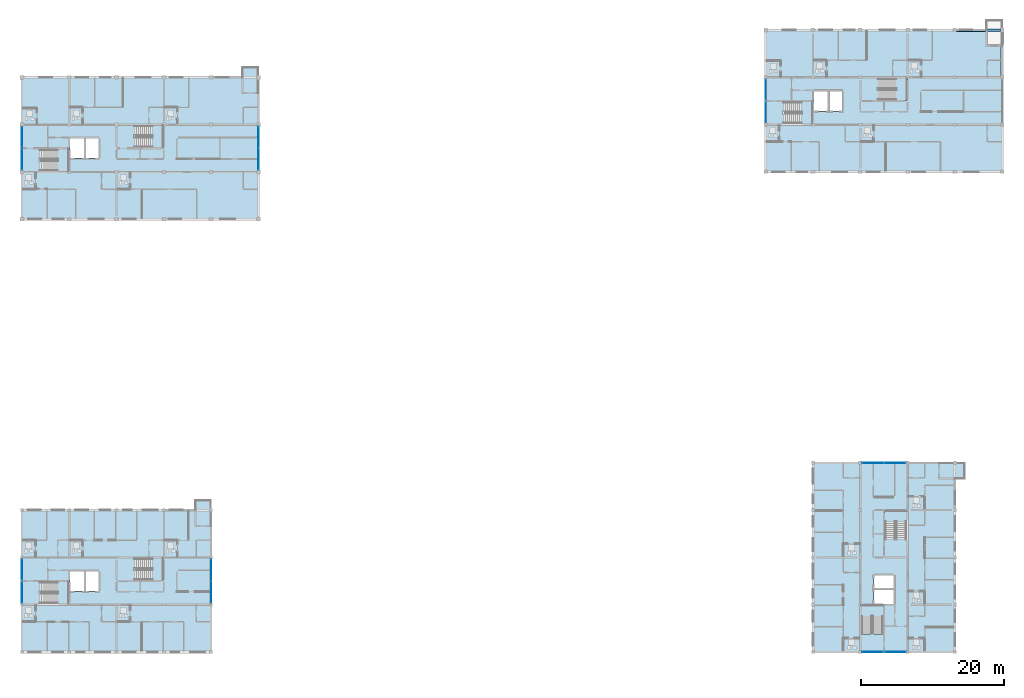
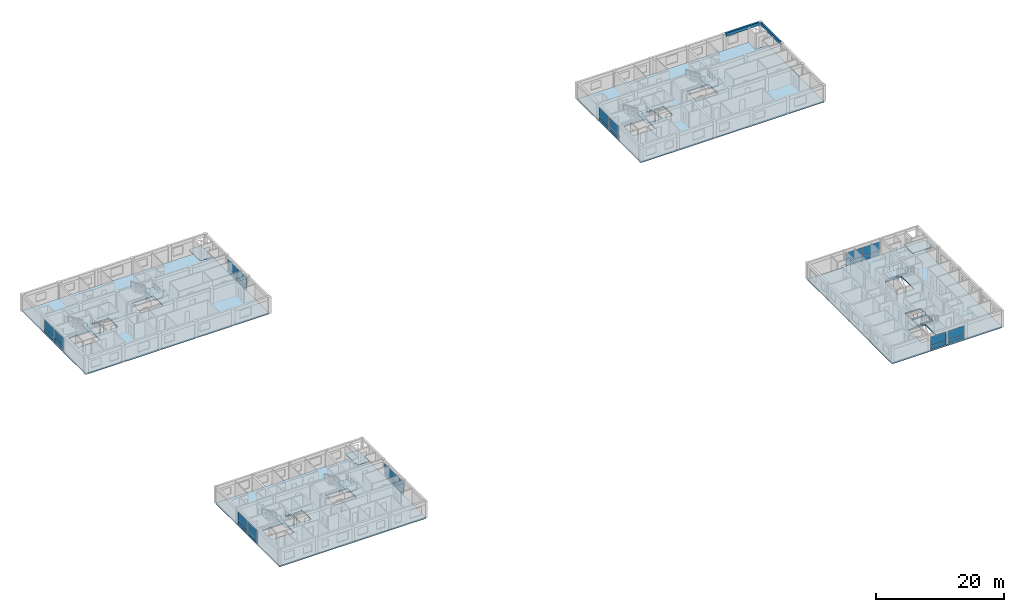
# One storey, part 22 of 45: 28 plates, 15 slabs, 2 beams, 19 elements without a shape of their own.
"""IFC4 building model written with IfcOpenShell, lengths in metres."""

from ifc_helpers import new_model, si_unit, direction, frame, origin, origin_2d, place, context, subcontext, project, spatial, polyline, rectangle, outline, extrude, material, layer, layer_set, material_profile, profile_set, type_object, element, aggregate, save


model = new_model("IFC4")

# Units and contexts
model_context = context("Model", 3, precision=1e-05, world=origin(), true_north=direction((0.0, 1.0)))
body_context = subcontext(model_context, "Body", "Model", "MODEL_VIEW")
ifc_project = project(units=[si_unit("LENGTHUNIT", "METRE"), si_unit("AREAUNIT", "SQUARE_METRE"), si_unit("VOLUMEUNIT", "CUBIC_METRE"), si_unit("PLANEANGLEUNIT", "RADIAN"), si_unit("MASSUNIT", "GRAM", prefix="KILO")], contexts=[model_context])

# Site, building, storey
site_placement = place(None, origin())
site = spatial("IfcSite", under=ifc_project, at=site_placement, CompositionType="ELEMENT")
building_placement = place(site_placement, origin())
building = spatial("IfcBuilding", under=site, at=building_placement, Name="Kernevlak Ridge Housing Community", CompositionType="ELEMENT")
storey_placement = place(building_placement, frame((0.0, 0.0, 14.800048828125)))
storey = spatial("IfcBuildingStorey", under=building, at=storey_placement, Name="L04", CompositionType="ELEMENT", Elevation=14.800048828125)

# Beams
ifc_material_1 = material(Name="Concrete C35/45", Category="concrete")
ifc_material_profile_1 = material_profile(ifc_material_1, rectangle(XDim=0.300048828125, YDim=0.550048828125, at=origin_2d()), Name="RC 300x550")
ifc_profile_set_1 = profile_set([ifc_material_profile_1], Name="Concrete C35/45")
beam_type_1 = type_object("IfcBeamType", Name="SP-01", PredefinedType="SPANDREL", material=ifc_profile_set_1)
beam_1_placement = place(storey_placement, frame((152.39990234375, 96.050048828125, 2.925048828125), z_axis=(0.0, 1.0, 0.0), x_axis=(-1.0, 0.0, 0.0)))
element("IfcBeam", 1, at=beam_1_placement, inside=storey, type_object=beam_type_1, Name="Beam SP-01 L04 706", PredefinedType="SPANDREL", context=body_context, shape_type="SweptSolid", body=[
    extrude(rectangle(XDim=0.300048828125, YDim=0.550048828125, at=origin_2d()), origin(), (0.0, 0.0, 1.0), 6.099853515625),
])
ifc_material_profile_2 = material_profile(ifc_material_1, rectangle(XDim=0.35009765625, YDim=0.60009765625, at=origin_2d()), Name="RC 350x600")
ifc_profile_set_2 = profile_set([ifc_material_profile_2], Name="Concrete C35/45")
beam_type_2 = type_object("IfcBeamType", Name="SP-03", PredefinedType="SPANDREL", material=ifc_profile_set_2)
beam_2_placement = place(storey_placement, frame((146.050048828125, 102.39990234375, 2.89990234375), z_axis=(1.0, 0.0, 0.0), x_axis=(0.0, 1.0, 0.0)))
element("IfcBeam", 2, at=beam_2_placement, inside=storey, type_object=beam_type_2, Name="Beam SP-03 L04 700", PredefinedType="SPANDREL", context=body_context, shape_type="SweptSolid", body=[
    extrude(rectangle(XDim=0.35009765625, YDim=0.60009765625, at=origin_2d()), origin(), (0.0, 0.0, 1.0), 6.099853515625),
])

# Curtain wall, plate
ifc_material_2 = material(Name="Aluminium EN AW-6060 anodised and laminated glass", Category="aluminium")
curtain_wall_type_1 = type_object("IfcCurtainWallType", Name="CW-01", PredefinedType="NOTDEFINED", material=ifc_material_2)
curtain_wall_1_placement = place(storey_placement, origin())
curtain_wall_1 = element("IfcCurtainWall", 3, at=curtain_wall_1_placement, inside=storey, type_object=curtain_wall_type_1, Name="Curtain wall CW-01 CW-L04-013", PredefinedType="NOTDEFINED")
ifc_material_3 = material(Name="Solar-control double glazing glass", Category="glass")
ifc_layer_1 = layer(ifc_material_3, 0.02392578125, Name="Solar-control double glazing glass")
ifc_layer_set_1 = layer_set([ifc_layer_1], Name="Solar-control double glazing glass")
plate_type_1 = type_object("IfcPlateType", Name="CP-01", PredefinedType="CURTAIN_PANEL", material=ifc_layer_set_1)
plate_1_placement = place(storey_placement, frame((15.60009765625, 84.33251953125, 0.8798828125), z_axis=(0.0, 0.0, 1.0), x_axis=(0.0, 1.0, 0.0)))
plate_1 = element("IfcPlate", 4, at=plate_1_placement, type_object=plate_type_1, Name="CW-01 panel 1.2", PredefinedType="CURTAIN_PANEL", context=body_context, shape_type="SweptSolid", body=[
    extrude(rectangle(XDim=2.794921875, YDim=0.02392578125, at=origin_2d()), origin(), (0.0, 0.0, 1.0), 1.659912109375),
])

curtain_wall_type_2 = type_object("IfcCurtainWallType", Name="CW-08", PredefinedType="NOTDEFINED", material=ifc_material_2)
curtain_wall_2_placement = place(storey_placement, origin())
curtain_wall_2 = element("IfcCurtainWall", 5, at=curtain_wall_2_placement, inside=storey, type_object=curtain_wall_type_2, Name="Curtain wall CW-08 CW-L04-014", PredefinedType="NOTDEFINED")
plate_2_placement = place(storey_placement, frame((15.60009765625, 87.467529296875, 0.88232421875), z_axis=(0.0, 0.0, 1.0), x_axis=(0.0, 1.0, 0.0)))
plate_2 = element("IfcPlate", 6, at=plate_2_placement, type_object=plate_type_1, Name="CW-08 panel 1.2", PredefinedType="CURTAIN_PANEL", context=body_context, shape_type="SweptSolid", body=[
    extrude(rectangle(XDim=2.784912109375, YDim=0.02392578125, at=origin_2d()), origin(), (0.0, 0.0, 1.0), 1.652587890625),
])

# Curtain wall, plates
curtain_wall_type_3 = type_object("IfcCurtainWallType", Name="CW-10", PredefinedType="NOTDEFINED", material=ifc_material_2)
curtain_wall_3_placement = place(storey_placement, origin())
curtain_wall_3 = element("IfcCurtainWall", 7, at=curtain_wall_3_placement, inside=storey, type_object=curtain_wall_type_3, Name="Curtain wall CW-10 CW-L04-015", PredefinedType="NOTDEFINED")
plate_3_placement = place(storey_placement, frame((48.60009765625, 84.4013671875, 0.87744140625), z_axis=(0.0, 0.0, 1.0), x_axis=(0.0, 1.0, 0.0)))
plate_3 = element("IfcPlate", 8, at=plate_3_placement, type_object=plate_type_1, Name="CW-10 panel 1.2", PredefinedType="CURTAIN_PANEL", context=body_context, shape_type="SweptSolid", body=[
    extrude(rectangle(XDim=2.9423828125, YDim=0.02392578125, at=origin_2d()), origin(), (0.0, 0.0, 1.0), 1.66748046875),
])
plate_4_placement = place(storey_placement, frame((48.60009765625, 87.398681640625, 0.87744140625), z_axis=(0.0, 0.0, 1.0), x_axis=(0.0, 1.0, 0.0)))
plate_4 = element("IfcPlate", 9, at=plate_4_placement, type_object=plate_type_1, Name="CW-10 panel 2.2", PredefinedType="CURTAIN_PANEL", context=body_context, shape_type="SweptSolid", body=[
    extrude(rectangle(XDim=2.9423828125, YDim=0.02392578125, at=origin_2d()), origin(), (0.0, 0.0, 1.0), 1.66748046875),
])

# Curtain wall, plate
curtain_wall_type_4 = type_object("IfcCurtainWallType", Name="CW-04", PredefinedType="NOTDEFINED", material=ifc_material_2)
curtain_wall_4_placement = place(storey_placement, origin())
curtain_wall_4 = element("IfcCurtainWall", 10, at=curtain_wall_4_placement, inside=storey, type_object=curtain_wall_type_4, Name="Curtain wall CW-04 CW-L04-067", PredefinedType="NOTDEFINED")
plate_5_placement = place(storey_placement, frame((119.39990234375, 90.919921875, 0.8798828125), z_axis=(0.0, 0.0, 1.0), x_axis=(0.0, 1.0, 0.0)))
plate_5 = element("IfcPlate", 11, at=plate_5_placement, type_object=plate_type_1, Name="CW-04 panel 1.2", PredefinedType="CURTAIN_PANEL", context=body_context, shape_type="SweptSolid", body=[
    extrude(rectangle(XDim=2.820068359375, YDim=0.02392578125, at=origin_2d()), origin(), (0.0, 0.0, 1.0), 1.659912109375),
])

curtain_wall_type_5 = type_object("IfcCurtainWallType", Name="CW-11", PredefinedType="NOTDEFINED", material=ifc_material_2)
curtain_wall_5_placement = place(storey_placement, origin())
curtain_wall_5 = element("IfcCurtainWall", 12, at=curtain_wall_5_placement, inside=storey, type_object=curtain_wall_type_5, Name="Curtain wall CW-11 CW-L04-068", PredefinedType="NOTDEFINED")
plate_6_placement = place(storey_placement, frame((119.39990234375, 94.080078125, 0.88232421875), z_axis=(0.0, 0.0, 1.0), x_axis=(0.0, 1.0, 0.0)))
plate_6 = element("IfcPlate", 13, at=plate_6_placement, type_object=plate_type_1, Name="CW-11 panel 1.2", PredefinedType="CURTAIN_PANEL", context=body_context, shape_type="SweptSolid", body=[
    extrude(rectangle(XDim=2.81005859375, YDim=0.02392578125, at=origin_2d()), origin(), (0.0, 0.0, 1.0), 1.652587890625),
])

curtain_wall_type_6 = type_object("IfcCurtainWallType", Name="CW-07", PredefinedType="NOTDEFINED", material=ifc_material_2)
curtain_wall_6_placement = place(storey_placement, origin())
curtain_wall_6 = element("IfcCurtainWall", 14, at=curtain_wall_6_placement, inside=storey, type_object=curtain_wall_type_6, Name="Curtain wall CW-07 CW-L04-112", PredefinedType="NOTDEFINED")
plate_7_placement = place(storey_placement, frame((134.3076171875, 15.60009765625, 0.8798828125), z_axis=(0.0, 0.0, 1.0), x_axis=(1.0, 0.0, 0.0)))
plate_7 = element("IfcPlate", 15, at=plate_7_placement, type_object=plate_type_1, Name="CW-07 panel 1.2", PredefinedType="CURTAIN_PANEL", context=body_context, shape_type="SweptSolid", body=[
    extrude(rectangle(XDim=2.844970703125, YDim=0.02392578125, at=origin_2d()), origin(), (0.0, 0.0, 1.0), 1.659912109375),
])

curtain_wall_type_7 = type_object("IfcCurtainWallType", Name="CW-14", PredefinedType="NOTDEFINED", material=ifc_material_2)
curtain_wall_7_placement = place(storey_placement, origin())
curtain_wall_7 = element("IfcCurtainWall", 16, at=curtain_wall_7_placement, inside=storey, type_object=curtain_wall_type_7, Name="Curtain wall CW-14 CW-L04-113", PredefinedType="NOTDEFINED")
plate_8_placement = place(storey_placement, frame((137.492431640625, 15.60009765625, 0.88232421875), z_axis=(0.0, 0.0, 1.0), x_axis=(1.0, 0.0, 0.0)))
plate_8 = element("IfcPlate", 17, at=plate_8_placement, type_object=plate_type_1, Name="CW-14 panel 1.2", PredefinedType="CURTAIN_PANEL", context=body_context, shape_type="SweptSolid", body=[
    extrude(rectangle(XDim=2.8349609375, YDim=0.02392578125, at=origin_2d()), origin(), (0.0, 0.0, 1.0), 1.652587890625),
])

# Curtain wall, plates
curtain_wall_8_placement = place(storey_placement, origin())
curtain_wall_8 = element("IfcCurtainWall", 18, at=curtain_wall_8_placement, inside=storey, type_object=curtain_wall_type_7, Name="Curtain wall CW-14 CW-L04-114", PredefinedType="NOTDEFINED")
plate_9_placement = place(storey_placement, frame((134.376220703125, 42.0, 0.87744140625), z_axis=(0.0, 0.0, 1.0), x_axis=(1.0, 0.0, 0.0)))
plate_9 = element("IfcPlate", 19, at=plate_9_placement, type_object=plate_type_1, Name="CW-14 panel 1.2", PredefinedType="CURTAIN_PANEL", context=body_context, shape_type="SweptSolid", body=[
    extrude(rectangle(XDim=2.992431640625, YDim=0.02392578125, at=origin_2d()), origin(), (0.0, 0.0, 1.0), 1.66748046875),
])
plate_10_placement = place(storey_placement, frame((137.423828125, 42.0, 0.87744140625), z_axis=(0.0, 0.0, 1.0), x_axis=(1.0, 0.0, 0.0)))
plate_10 = element("IfcPlate", 20, at=plate_10_placement, type_object=plate_type_1, Name="CW-14 panel 2.2", PredefinedType="CURTAIN_PANEL", context=body_context, shape_type="SweptSolid", body=[
    extrude(rectangle(XDim=2.992431640625, YDim=0.02392578125, at=origin_2d()), origin(), (0.0, 0.0, 1.0), 1.66748046875),
])

# Curtain wall, plate
curtain_wall_9_placement = place(storey_placement, origin())
curtain_wall_9 = element("IfcCurtainWall", 21, at=curtain_wall_9_placement, inside=storey, type_object=curtain_wall_type_3, Name="Curtain wall CW-10 CW-L04-151", PredefinedType="NOTDEFINED")
plate_11_placement = place(storey_placement, frame((15.60009765625, 23.89501953125, 0.8798828125), z_axis=(0.0, 0.0, 1.0), x_axis=(0.0, 1.0, 0.0)))
plate_11 = element("IfcPlate", 22, at=plate_11_placement, type_object=plate_type_1, Name="CW-10 panel 1.2", PredefinedType="CURTAIN_PANEL", context=body_context, shape_type="SweptSolid", body=[
    extrude(rectangle(XDim=2.8701171875, YDim=0.02392578125, at=origin_2d()), origin(), (0.0, 0.0, 1.0), 1.659912109375),
])

curtain_wall_type_8 = type_object("IfcCurtainWallType", Name="CW-03", PredefinedType="NOTDEFINED", material=ifc_material_2)
curtain_wall_10_placement = place(storey_placement, origin())
curtain_wall_10 = element("IfcCurtainWall", 23, at=curtain_wall_10_placement, inside=storey, type_object=curtain_wall_type_8, Name="Curtain wall CW-03 CW-L04-152", PredefinedType="NOTDEFINED")
plate_12_placement = place(storey_placement, frame((15.60009765625, 27.10498046875, 0.88232421875), z_axis=(0.0, 0.0, 1.0), x_axis=(0.0, 1.0, 0.0)))
plate_12 = element("IfcPlate", 24, at=plate_12_placement, type_object=plate_type_1, Name="CW-03 panel 1.2", PredefinedType="CURTAIN_PANEL", context=body_context, shape_type="SweptSolid", body=[
    extrude(rectangle(XDim=2.860107421875, YDim=0.02392578125, at=origin_2d()), origin(), (0.0, 0.0, 1.0), 1.652587890625),
])

# Curtain wall, plates
curtain_wall_type_9 = type_object("IfcCurtainWallType", Name="CW-02", PredefinedType="NOTDEFINED", material=ifc_material_2)
curtain_wall_11_placement = place(storey_placement, origin())
curtain_wall_11 = element("IfcCurtainWall", 25, at=curtain_wall_11_placement, inside=storey, type_object=curtain_wall_type_9, Name="Curtain wall CW-02 CW-L04-153", PredefinedType="NOTDEFINED")
plate_13_placement = place(storey_placement, frame((42.0, 23.9638671875, 0.87744140625), z_axis=(0.0, 0.0, 1.0), x_axis=(0.0, 1.0, 0.0)))
plate_13 = element("IfcPlate", 26, at=plate_13_placement, type_object=plate_type_1, Name="CW-02 panel 1.2", PredefinedType="CURTAIN_PANEL", context=body_context, shape_type="SweptSolid", body=[
    extrude(rectangle(XDim=3.017578125, YDim=0.02392578125, at=origin_2d()), origin(), (0.0, 0.0, 1.0), 1.66748046875),
])
plate_14_placement = place(storey_placement, frame((42.0, 27.0361328125, 0.87744140625), z_axis=(0.0, 0.0, 1.0), x_axis=(0.0, 1.0, 0.0)))
plate_14 = element("IfcPlate", 27, at=plate_14_placement, type_object=plate_type_1, Name="CW-02 panel 2.2", PredefinedType="CURTAIN_PANEL", context=body_context, shape_type="SweptSolid", body=[
    extrude(rectangle(XDim=3.017578125, YDim=0.02392578125, at=origin_2d()), origin(), (0.0, 0.0, 1.0), 1.66748046875),
])

# Plate
ifc_material_4 = material(Name="Aluminium EN AW-5005 enamelled panel", Category="aluminium")
ifc_layer_2 = layer(ifc_material_4, 0.033935546875, Name="Aluminium EN AW-5005 enamelled panel")
ifc_layer_set_2 = layer_set([ifc_layer_2], Name="Aluminium EN AW-5005 enamelled panel")
plate_type_2 = type_object("IfcPlateType", Name="CP-03", PredefinedType="CURTAIN_PANEL", material=ifc_layer_set_2)
plate_15_placement = place(storey_placement, frame((15.60009765625, 84.33251953125, 0.06005859375), z_axis=(0.0, 0.0, 1.0), x_axis=(0.0, 1.0, 0.0)))
plate_15 = element("IfcPlate", 28, at=plate_15_placement, type_object=plate_type_2, Name="CW-01 panel 1.1", PredefinedType="CURTAIN_PANEL", context=body_context, shape_type="SweptSolid", body=[
    extrude(rectangle(XDim=2.794921875, YDim=0.033935546875, at=origin_2d()), origin(), (0.0, 0.0, 1.0), 0.760009765625),
])

aggregate(curtain_wall_1, [plate_15, plate_1])

plate_16_placement = place(storey_placement, frame((42.0, 23.9638671875, 0.054931640625), z_axis=(0.0, 0.0, 1.0), x_axis=(0.0, 1.0, 0.0)))
plate_16 = element("IfcPlate", 29, at=plate_16_placement, type_object=plate_type_2, Name="CW-02 panel 1.1", PredefinedType="CURTAIN_PANEL", context=body_context, shape_type="SweptSolid", body=[
    extrude(rectangle(XDim=3.017578125, YDim=0.033935546875, at=origin_2d()), origin(), (0.0, 0.0, 1.0), 0.767578125),
])

plate_17_placement = place(storey_placement, frame((42.0, 27.0361328125, 0.054931640625), z_axis=(0.0, 0.0, 1.0), x_axis=(0.0, 1.0, 0.0)))
plate_17 = element("IfcPlate", 30, at=plate_17_placement, type_object=plate_type_2, Name="CW-02 panel 2.1", PredefinedType="CURTAIN_PANEL", context=body_context, shape_type="SweptSolid", body=[
    extrude(rectangle(XDim=3.017578125, YDim=0.033935546875, at=origin_2d()), origin(), (0.0, 0.0, 1.0), 0.767578125),
])

aggregate(curtain_wall_11, [plate_16, plate_13, plate_17, plate_14])

ifc_layer_3 = layer(ifc_material_4, 0.0380859375, Name="Aluminium EN AW-5005 enamelled panel")
ifc_layer_set_3 = layer_set([ifc_layer_3], Name="Aluminium EN AW-5005 enamelled panel")
plate_type_3 = type_object("IfcPlateType", Name="CP-04", PredefinedType="CURTAIN_PANEL", material=ifc_layer_set_3)
plate_18_placement = place(storey_placement, frame((15.60009765625, 87.467529296875, 0.06494140625), z_axis=(0.0, 0.0, 1.0), x_axis=(0.0, 1.0, 0.0)))
plate_18 = element("IfcPlate", 31, at=plate_18_placement, type_object=plate_type_3, Name="CW-08 panel 1.1", PredefinedType="CURTAIN_PANEL", context=body_context, shape_type="SweptSolid", body=[
    extrude(rectangle(XDim=2.784912109375, YDim=0.0380859375, at=origin_2d()), origin(), (0.0, 0.0, 1.0), 0.75244140625),
])

aggregate(curtain_wall_2, [plate_18, plate_2])

plate_19_placement = place(storey_placement, frame((119.39990234375, 90.919921875, 0.06005859375), z_axis=(0.0, 0.0, 1.0), x_axis=(0.0, 1.0, 0.0)))
plate_19 = element("IfcPlate", 32, at=plate_19_placement, type_object=plate_type_3, Name="CW-04 panel 1.1", PredefinedType="CURTAIN_PANEL", context=body_context, shape_type="SweptSolid", body=[
    extrude(rectangle(XDim=2.820068359375, YDim=0.0380859375, at=origin_2d()), origin(), (0.0, 0.0, 1.0), 0.760009765625),
])

aggregate(curtain_wall_4, [plate_19, plate_5])

ifc_layer_4 = layer(ifc_material_4, 0.0419921875, Name="Aluminium EN AW-5005 enamelled panel")
ifc_layer_set_4 = layer_set([ifc_layer_4], Name="Aluminium EN AW-5005 enamelled panel")
plate_type_4 = type_object("IfcPlateType", Name="CP-05", PredefinedType="CURTAIN_PANEL", material=ifc_layer_set_4)
plate_20_placement = place(storey_placement, frame((48.60009765625, 84.4013671875, 0.054931640625), z_axis=(0.0, 0.0, 1.0), x_axis=(0.0, 1.0, 0.0)))
plate_20 = element("IfcPlate", 33, at=plate_20_placement, type_object=plate_type_4, Name="CW-10 panel 1.1", PredefinedType="CURTAIN_PANEL", context=body_context, shape_type="SweptSolid", body=[
    extrude(rectangle(XDim=2.9423828125, YDim=0.0419921875, at=origin_2d()), origin(), (0.0, 0.0, 1.0), 0.767578125),
])

plate_21_placement = place(storey_placement, frame((48.60009765625, 87.398681640625, 0.054931640625), z_axis=(0.0, 0.0, 1.0), x_axis=(0.0, 1.0, 0.0)))
plate_21 = element("IfcPlate", 34, at=plate_21_placement, type_object=plate_type_4, Name="CW-10 panel 2.1", PredefinedType="CURTAIN_PANEL", context=body_context, shape_type="SweptSolid", body=[
    extrude(rectangle(XDim=2.9423828125, YDim=0.0419921875, at=origin_2d()), origin(), (0.0, 0.0, 1.0), 0.767578125),
])

aggregate(curtain_wall_3, [plate_20, plate_3, plate_21, plate_4])

plate_22_placement = place(storey_placement, frame((119.39990234375, 94.080078125, 0.06494140625), z_axis=(0.0, 0.0, 1.0), x_axis=(0.0, 1.0, 0.0)))
plate_22 = element("IfcPlate", 35, at=plate_22_placement, type_object=plate_type_4, Name="CW-11 panel 1.1", PredefinedType="CURTAIN_PANEL", context=body_context, shape_type="SweptSolid", body=[
    extrude(rectangle(XDim=2.81005859375, YDim=0.0419921875, at=origin_2d()), origin(), (0.0, 0.0, 1.0), 0.75244140625),
])

aggregate(curtain_wall_5, [plate_22, plate_6])

plate_23_placement = place(storey_placement, frame((134.3076171875, 15.60009765625, 0.06005859375), z_axis=(0.0, 0.0, 1.0), x_axis=(1.0, 0.0, 0.0)))
plate_23 = element("IfcPlate", 36, at=plate_23_placement, type_object=plate_type_4, Name="CW-07 panel 1.1", PredefinedType="CURTAIN_PANEL", context=body_context, shape_type="SweptSolid", body=[
    extrude(rectangle(XDim=2.844970703125, YDim=0.0419921875, at=origin_2d()), origin(), (0.0, 0.0, 1.0), 0.760009765625),
])

aggregate(curtain_wall_6, [plate_23, plate_7])

ifc_material_5 = material(Name="Aluminium EN AW-5005 insulated panel", Category="aluminium")
ifc_layer_5 = layer(ifc_material_5, 0.0458984375, Name="Aluminium EN AW-5005 insulated panel")
ifc_layer_set_5 = layer_set([ifc_layer_5], Name="Aluminium EN AW-5005 insulated panel")
plate_type_5 = type_object("IfcPlateType", Name="CP-06", PredefinedType="CURTAIN_PANEL", material=ifc_layer_set_5)
plate_24_placement = place(storey_placement, frame((137.492431640625, 15.60009765625, 0.06494140625), z_axis=(0.0, 0.0, 1.0), x_axis=(1.0, 0.0, 0.0)))
plate_24 = element("IfcPlate", 37, at=plate_24_placement, type_object=plate_type_5, Name="CW-14 panel 1.1", PredefinedType="CURTAIN_PANEL", context=body_context, shape_type="SweptSolid", body=[
    extrude(rectangle(XDim=2.8349609375, YDim=0.0458984375, at=origin_2d()), origin(), (0.0, 0.0, 1.0), 0.75244140625),
])

aggregate(curtain_wall_7, [plate_24, plate_8])

plate_25_placement = place(storey_placement, frame((15.60009765625, 23.89501953125, 0.06005859375), z_axis=(0.0, 0.0, 1.0), x_axis=(0.0, 1.0, 0.0)))
plate_25 = element("IfcPlate", 38, at=plate_25_placement, type_object=plate_type_5, Name="CW-10 panel 1.1", PredefinedType="CURTAIN_PANEL", context=body_context, shape_type="SweptSolid", body=[
    extrude(rectangle(XDim=2.8701171875, YDim=0.0458984375, at=origin_2d()), origin(), (0.0, 0.0, 1.0), 0.760009765625),
])

aggregate(curtain_wall_9, [plate_25, plate_11])

ifc_layer_6 = layer(ifc_material_5, 0.050048828125, Name="Aluminium EN AW-5005 insulated panel")
ifc_layer_set_6 = layer_set([ifc_layer_6], Name="Aluminium EN AW-5005 insulated panel")
plate_type_6 = type_object("IfcPlateType", Name="CP-07", PredefinedType="CURTAIN_PANEL", material=ifc_layer_set_6)
plate_26_placement = place(storey_placement, frame((134.376220703125, 42.0, 0.054931640625), z_axis=(0.0, 0.0, 1.0), x_axis=(1.0, 0.0, 0.0)))
plate_26 = element("IfcPlate", 39, at=plate_26_placement, type_object=plate_type_6, Name="CW-14 panel 1.1", PredefinedType="CURTAIN_PANEL", context=body_context, shape_type="SweptSolid", body=[
    extrude(rectangle(XDim=2.992431640625, YDim=0.050048828125, at=origin_2d()), origin(), (0.0, 0.0, 1.0), 0.767578125),
])

plate_27_placement = place(storey_placement, frame((137.423828125, 42.0, 0.054931640625), z_axis=(0.0, 0.0, 1.0), x_axis=(1.0, 0.0, 0.0)))
plate_27 = element("IfcPlate", 40, at=plate_27_placement, type_object=plate_type_6, Name="CW-14 panel 2.1", PredefinedType="CURTAIN_PANEL", context=body_context, shape_type="SweptSolid", body=[
    extrude(rectangle(XDim=2.992431640625, YDim=0.050048828125, at=origin_2d()), origin(), (0.0, 0.0, 1.0), 0.767578125),
])

aggregate(curtain_wall_8, [plate_26, plate_9, plate_27, plate_10])

plate_28_placement = place(storey_placement, frame((15.60009765625, 27.10498046875, 0.06494140625), z_axis=(0.0, 0.0, 1.0), x_axis=(0.0, 1.0, 0.0)))
plate_28 = element("IfcPlate", 41, at=plate_28_placement, type_object=plate_type_6, Name="CW-03 panel 1.1", PredefinedType="CURTAIN_PANEL", context=body_context, shape_type="SweptSolid", body=[
    extrude(rectangle(XDim=2.860107421875, YDim=0.050048828125, at=origin_2d()), origin(), (0.0, 0.0, 1.0), 0.75244140625),
])

aggregate(curtain_wall_10, [plate_28, plate_12])

# Slabs
ifc_layer_7 = layer(ifc_material_1, 0.239990234375, Name="Concrete C35/45")
ifc_layer_set_7 = layer_set([ifc_layer_7], Name="Concrete C35/45")
slab_type_1 = type_object("IfcSlabType", Name="SL-03", PredefinedType="FLOOR", material=ifc_layer_set_7)
slab_1_placement = place(storey_placement, frame((0.0, 0.0, -0.239990234375)))
element("IfcSlab", 42, at=slab_1_placement, inside=storey, type_object=slab_type_1, Name="Block A level L04 floor slab", PredefinedType="FLOOR", context=body_context, shape_type="SweptSolid", body=[
    extrude(outline(polyline([(15.60009765625, 76.0), (48.60009765625, 76.0), (48.60009765625, 93.60009765625), (46.39990234375, 93.60009765625), (46.39990234375, 95.800048828125), (15.60009765625, 95.800048828125), (15.60009765625, 76.0)]), holes=[polyline([(18.139892578125, 85.75), (22.1201171875, 85.75), (22.1201171875, 82.75), (18.139892578125, 82.75), (18.139892578125, 85.75)]), polyline([(31.340087890625, 89.050048828125), (35.320068359375, 89.050048828125), (35.320068359375, 86.050048828125), (31.340087890625, 86.050048828125), (31.340087890625, 89.050048828125)]), polyline([(22.320068359375, 87.280029296875), (24.280029296875, 87.280029296875), (24.280029296875, 84.52001953125), (22.320068359375, 84.52001953125), (22.320068359375, 87.280029296875)]), polyline([(24.52001953125, 87.280029296875), (26.280029296875, 87.280029296875), (26.280029296875, 84.52001953125), (24.52001953125, 84.52001953125), (24.52001953125, 87.280029296875)])]), origin(), (0.0, 0.0, 1.0), 0.239990234375),
])
slab_2_placement = place(storey_placement, frame((0.0, 0.0, -0.239990234375)))
element("IfcSlab", 43, at=slab_2_placement, inside=storey, type_object=slab_type_1, Name="Block B level L04 floor slab", PredefinedType="FLOOR", context=body_context, shape_type="SweptSolid", body=[
    extrude(outline(polyline([(119.39990234375, 82.60009765625), (152.39990234375, 82.60009765625), (152.39990234375, 100.199951171875), (150.199951171875, 100.199951171875), (150.199951171875, 102.39990234375), (119.39990234375, 102.39990234375), (119.39990234375, 82.60009765625)]), holes=[polyline([(121.93994140625, 92.35009765625), (125.919921875, 92.35009765625), (125.919921875, 89.35009765625), (121.93994140625, 89.35009765625), (121.93994140625, 92.35009765625)]), polyline([(135.139892578125, 95.64990234375), (139.1201171875, 95.64990234375), (139.1201171875, 92.64990234375), (135.139892578125, 92.64990234375), (135.139892578125, 95.64990234375)]), polyline([(126.1201171875, 93.8798828125), (128.080078125, 93.8798828125), (128.080078125, 91.1201171875), (126.1201171875, 91.1201171875), (126.1201171875, 93.8798828125)]), polyline([(128.320068359375, 93.8798828125), (130.080078125, 93.8798828125), (130.080078125, 91.1201171875), (128.320068359375, 91.1201171875), (128.320068359375, 93.8798828125)])]), origin(), (0.0, 0.0, 1.0), 0.239990234375),
])
slab_3_placement = place(storey_placement, frame((0.0, 0.0, -0.239990234375)))
element("IfcSlab", 44, at=slab_3_placement, inside=storey, type_object=slab_type_1, Name="Block C level L04 floor slab", PredefinedType="FLOOR", context=body_context, shape_type="SweptSolid", body=[
    extrude(outline(polyline([(145.800048828125, 15.60009765625), (145.800048828125, 39.800048828125), (143.60009765625, 39.800048828125), (143.60009765625, 42.0), (126.0, 42.0), (126.0, 15.60009765625), (145.800048828125, 15.60009765625)]), holes=[polyline([(132.75, 18.139892578125), (132.75, 22.1201171875), (135.75, 22.1201171875), (135.75, 18.139892578125), (132.75, 18.139892578125)]), polyline([(136.050048828125, 31.340087890625), (136.050048828125, 35.320068359375), (139.050048828125, 35.320068359375), (139.050048828125, 31.340087890625), (136.050048828125, 31.340087890625)]), polyline([(134.52001953125, 24.280029296875), (137.280029296875, 24.280029296875), (137.280029296875, 22.320068359375), (134.52001953125, 22.320068359375), (134.52001953125, 24.280029296875)]), polyline([(134.52001953125, 26.280029296875), (137.280029296875, 26.280029296875), (137.280029296875, 24.52001953125), (134.52001953125, 24.52001953125), (134.52001953125, 26.280029296875)])]), origin(), (0.0, 0.0, 1.0), 0.239990234375),
])
slab_4_placement = place(storey_placement, frame((0.0, 0.0, -0.239990234375)))
element("IfcSlab", 45, at=slab_4_placement, inside=storey, type_object=slab_type_1, Name="Block D level L04 floor slab", PredefinedType="FLOOR", context=body_context, shape_type="SweptSolid", body=[
    extrude(outline(polyline([(15.60009765625, 15.60009765625), (42.0, 15.60009765625), (42.0, 33.199951171875), (39.800048828125, 33.199951171875), (39.800048828125, 35.39990234375), (15.60009765625, 35.39990234375), (15.60009765625, 15.60009765625)]), holes=[polyline([(18.139892578125, 25.35009765625), (22.1201171875, 25.35009765625), (22.1201171875, 22.35009765625), (18.139892578125, 22.35009765625), (18.139892578125, 25.35009765625)]), polyline([(31.340087890625, 28.64990234375), (35.320068359375, 28.64990234375), (35.320068359375, 25.64990234375), (31.340087890625, 25.64990234375), (31.340087890625, 28.64990234375)]), polyline([(22.320068359375, 26.8798828125), (24.280029296875, 26.8798828125), (24.280029296875, 24.1201171875), (22.320068359375, 24.1201171875), (22.320068359375, 26.8798828125)]), polyline([(24.52001953125, 26.8798828125), (26.280029296875, 26.8798828125), (26.280029296875, 24.1201171875), (24.52001953125, 24.1201171875), (24.52001953125, 26.8798828125)])]), origin(), (0.0, 0.0, 1.0), 0.239990234375),
])
ifc_layer_8 = layer(ifc_material_1, 0.199951171875, Name="Concrete C35/45")
ifc_layer_set_8 = layer_set([ifc_layer_8], Name="Concrete C35/45")
slab_type_2 = type_object("IfcSlabType", Name="SL-05", PredefinedType="FLOOR", material=ifc_layer_set_8)
slab_5_placement = place(storey_placement, frame((0.0, 0.0, -0.199951171875)))
element("IfcSlab", 46, at=slab_5_placement, inside=storey, type_object=slab_type_2, Name="Block A L04 corner balcony deck slab", PredefinedType="FLOOR", context=body_context, shape_type="SweptSolid", body=[
    extrude(outline(polyline([(46.39990234375, 93.60009765625), (48.60009765625, 93.60009765625), (48.60009765625, 97.199951171875), (46.39990234375, 97.199951171875), (46.39990234375, 93.60009765625)])), origin(), (0.0, 0.0, 1.0), 0.199951171875),
])
slab_6_placement = place(storey_placement, frame((0.0, 0.0, -0.199951171875)))
element("IfcSlab", 47, at=slab_6_placement, inside=storey, type_object=slab_type_2, Name="Block C L04 corner balcony deck slab", PredefinedType="FLOOR", context=body_context, shape_type="SweptSolid", body=[
    extrude(outline(polyline([(147.199951171875, 39.800048828125), (147.199951171875, 42.0), (143.60009765625, 42.0), (143.60009765625, 39.800048828125), (147.199951171875, 39.800048828125)])), origin(), (0.0, 0.0, 1.0), 0.199951171875),
])
slab_7_placement = place(storey_placement, frame((0.0, 0.0, -0.199951171875)))
element("IfcSlab", 48, at=slab_7_placement, inside=storey, type_object=slab_type_2, Name="Block D L04 corner balcony deck slab", PredefinedType="FLOOR", context=body_context, shape_type="SweptSolid", body=[
    extrude(outline(polyline([(39.800048828125, 33.199951171875), (42.0, 33.199951171875), (42.0, 36.800048828125), (39.800048828125, 36.800048828125), (39.800048828125, 33.199951171875)])), origin(), (0.0, 0.0, 1.0), 0.199951171875),
])

# Stair, slab
stair_type = type_object("IfcStairType", Name="SR-01", PredefinedType="HALF_TURN_STAIR", material=ifc_material_1)
stair_1_placement = place(storey_placement, origin())
stair_1 = element("IfcStair", 49, at=stair_1_placement, inside=storey, type_object=stair_type, Name="Stair ST-A1 L04", PredefinedType="HALF_TURN_STAIR")
ifc_layer_9 = layer(ifc_material_1, 0.18994140625, Name="Concrete C35/45")
ifc_layer_set_9 = layer_set([ifc_layer_9], Name="Concrete C35/45")
slab_type_3 = type_object("IfcSlabType", Name="SL-13", PredefinedType="LANDING", material=ifc_layer_set_9)
slab_8_placement = place(storey_placement, frame((0.0, 0.0, 1.409912109375)))
slab_8 = element("IfcSlab", 50, at=slab_8_placement, type_object=slab_type_3, Name="SR-01 landing 1", PredefinedType="LANDING", context=body_context, shape_type="SweptSolid", body=[
    extrude(outline(polyline([(20.5400390625, 82.64990234375), (22.14990234375, 82.64990234375), (22.14990234375, 85.85009765625), (20.5400390625, 85.85009765625), (20.5400390625, 82.64990234375)])), origin(), (0.0, 0.0, 1.0), 0.18994140625),
])
aggregate(stair_1, [slab_8])

stair_2_placement = place(storey_placement, origin())
stair_2 = element("IfcStair", 51, at=stair_2_placement, inside=storey, type_object=stair_type, Name="Stair ST-A2 L04", PredefinedType="HALF_TURN_STAIR")
slab_9_placement = place(storey_placement, frame((0.0, 0.0, 1.409912109375)))
slab_9 = element("IfcSlab", 52, at=slab_9_placement, type_object=slab_type_3, Name="SR-01 landing 1", PredefinedType="LANDING", context=body_context, shape_type="SweptSolid", body=[
    extrude(outline(polyline([(33.739990234375, 85.949951171875), (35.35009765625, 85.949951171875), (35.35009765625, 89.14990234375), (33.739990234375, 89.14990234375), (33.739990234375, 85.949951171875)])), origin(), (0.0, 0.0, 1.0), 0.18994140625),
])
aggregate(stair_2, [slab_9])

stair_3_placement = place(storey_placement, origin())
stair_3 = element("IfcStair", 53, at=stair_3_placement, inside=storey, type_object=stair_type, Name="Stair ST-B1 L04", PredefinedType="HALF_TURN_STAIR")
slab_10_placement = place(storey_placement, frame((0.0, 0.0, 1.409912109375)))
slab_10 = element("IfcSlab", 54, at=slab_10_placement, type_object=slab_type_3, Name="SR-01 landing 1", PredefinedType="LANDING", context=body_context, shape_type="SweptSolid", body=[
    extrude(outline(polyline([(124.340087890625, 89.25), (125.949951171875, 89.25), (125.949951171875, 92.449951171875), (124.340087890625, 92.449951171875), (124.340087890625, 89.25)])), origin(), (0.0, 0.0, 1.0), 0.18994140625),
])
aggregate(stair_3, [slab_10])

stair_4_placement = place(storey_placement, origin())
stair_4 = element("IfcStair", 55, at=stair_4_placement, inside=storey, type_object=stair_type, Name="Stair ST-B2 L04", PredefinedType="HALF_TURN_STAIR")
slab_11_placement = place(storey_placement, frame((0.0, 0.0, 1.409912109375)))
slab_11 = element("IfcSlab", 56, at=slab_11_placement, type_object=slab_type_3, Name="SR-01 landing 1", PredefinedType="LANDING", context=body_context, shape_type="SweptSolid", body=[
    extrude(outline(polyline([(137.5400390625, 92.550048828125), (139.14990234375, 92.550048828125), (139.14990234375, 95.75), (137.5400390625, 95.75), (137.5400390625, 92.550048828125)])), origin(), (0.0, 0.0, 1.0), 0.18994140625),
])
aggregate(stair_4, [slab_11])

stair_5_placement = place(storey_placement, origin())
stair_5 = element("IfcStair", 57, at=stair_5_placement, inside=storey, type_object=stair_type, Name="Stair ST-C1 L04", PredefinedType="HALF_TURN_STAIR")
slab_12_placement = place(storey_placement, frame((0.0, 0.0, 1.409912109375)))
slab_12 = element("IfcSlab", 58, at=slab_12_placement, type_object=slab_type_3, Name="SR-01 landing 1", PredefinedType="LANDING", context=body_context, shape_type="SweptSolid", body=[
    extrude(outline(polyline([(135.85009765625, 20.5400390625), (135.85009765625, 22.14990234375), (132.64990234375, 22.14990234375), (132.64990234375, 20.5400390625), (135.85009765625, 20.5400390625)])), origin(), (0.0, 0.0, 1.0), 0.18994140625),
])
aggregate(stair_5, [slab_12])

stair_6_placement = place(storey_placement, origin())
stair_6 = element("IfcStair", 59, at=stair_6_placement, inside=storey, type_object=stair_type, Name="Stair ST-C2 L04", PredefinedType="HALF_TURN_STAIR")
slab_13_placement = place(storey_placement, frame((0.0, 0.0, 1.409912109375)))
slab_13 = element("IfcSlab", 60, at=slab_13_placement, type_object=slab_type_3, Name="SR-01 landing 1", PredefinedType="LANDING", context=body_context, shape_type="SweptSolid", body=[
    extrude(outline(polyline([(139.14990234375, 33.739990234375), (139.14990234375, 35.35009765625), (135.949951171875, 35.35009765625), (135.949951171875, 33.739990234375), (139.14990234375, 33.739990234375)])), origin(), (0.0, 0.0, 1.0), 0.18994140625),
])
aggregate(stair_6, [slab_13])

stair_7_placement = place(storey_placement, origin())
stair_7 = element("IfcStair", 61, at=stair_7_placement, inside=storey, type_object=stair_type, Name="Stair ST-D1 L04", PredefinedType="HALF_TURN_STAIR")
slab_14_placement = place(storey_placement, frame((0.0, 0.0, 1.409912109375)))
slab_14 = element("IfcSlab", 62, at=slab_14_placement, type_object=slab_type_3, Name="SR-01 landing 1", PredefinedType="LANDING", context=body_context, shape_type="SweptSolid", body=[
    extrude(outline(polyline([(20.5400390625, 22.25), (22.14990234375, 22.25), (22.14990234375, 25.449951171875), (20.5400390625, 25.449951171875), (20.5400390625, 22.25)])), origin(), (0.0, 0.0, 1.0), 0.18994140625),
])
aggregate(stair_7, [slab_14])

stair_8_placement = place(storey_placement, origin())
stair_8 = element("IfcStair", 63, at=stair_8_placement, inside=storey, type_object=stair_type, Name="Stair ST-D2 L04", PredefinedType="HALF_TURN_STAIR")
slab_15_placement = place(storey_placement, frame((0.0, 0.0, 1.409912109375)))
slab_15 = element("IfcSlab", 64, at=slab_15_placement, type_object=slab_type_3, Name="SR-01 landing 1", PredefinedType="LANDING", context=body_context, shape_type="SweptSolid", body=[
    extrude(outline(polyline([(33.739990234375, 25.550048828125), (35.35009765625, 25.550048828125), (35.35009765625, 28.75), (33.739990234375, 28.75), (33.739990234375, 25.550048828125)])), origin(), (0.0, 0.0, 1.0), 0.18994140625),
])
aggregate(stair_8, [slab_15])

save(model, "model.ifc")
